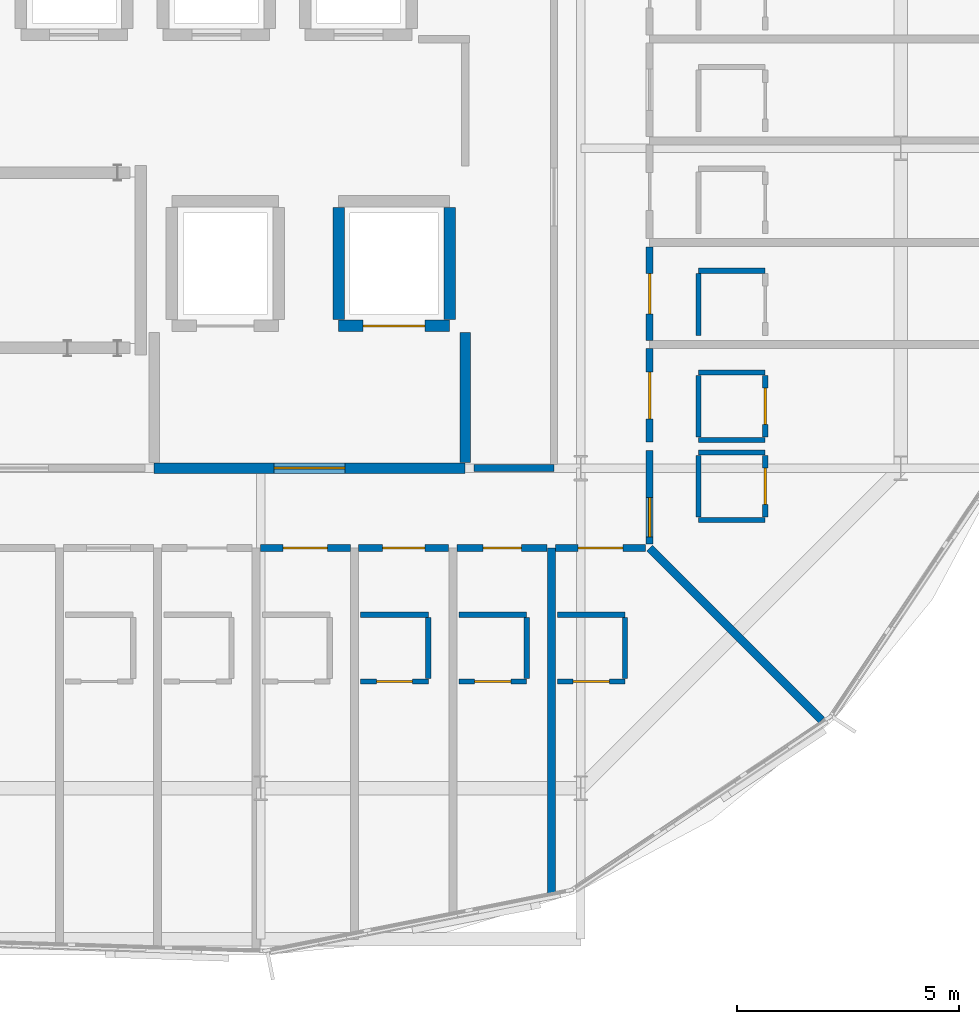
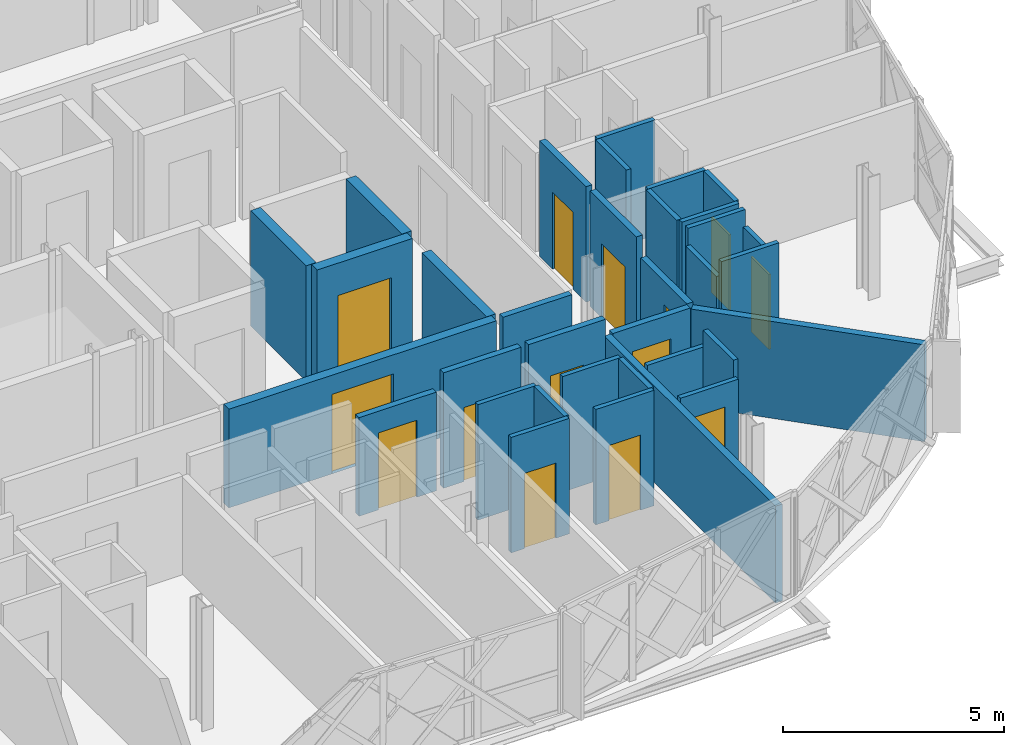
# One storey, part 41 of 50: 34 walls, 14 doors, 14 openings.
"""IFC4 building model written with IfcOpenShell, lengths in metres."""

from ifc_helpers import new_model, si_unit, direction, frame, frame_2d, origin, place, context, subcontext, project, spatial, rectangle, extrude, material, layer, layer_set, type_object, element, fill, save


model = new_model("IFC4")

# Units and contexts
model_context = context("Model", 3, precision=1e-05, world=origin(), true_north=direction((0.0, 1.0)))
body_context = subcontext(model_context, "Body", "Model", "MODEL_VIEW")
ifc_project = project(units=[si_unit("LENGTHUNIT", "METRE"), si_unit("AREAUNIT", "SQUARE_METRE"), si_unit("VOLUMEUNIT", "CUBIC_METRE"), si_unit("PLANEANGLEUNIT", "RADIAN"), si_unit("MASSUNIT", "GRAM", prefix="KILO")], contexts=[model_context])

# Site, building, storey
site_placement = place(None, origin())
site = spatial("IfcSite", under=ifc_project, at=site_placement, CompositionType="ELEMENT")
building_placement = place(site_placement, origin())
building = spatial("IfcBuilding", under=site, at=building_placement, Name="Zevrakil Square Congress Hotel", CompositionType="ELEMENT")
storey_placement = place(building_placement, frame((0.0, 0.0, 21.5)))
storey = spatial("IfcBuildingStorey", under=building, at=storey_placement, Name="L06", CompositionType="ELEMENT", Elevation=21.5)

# Wall, opening, door
ifc_material_1 = material(Name="Concrete C35/45", Category="concrete")
ifc_layer_1 = layer(ifc_material_1, 0.239990234375)
ifc_layer_set_1 = layer_set([ifc_layer_1], Name="Concrete C35/45")
wall_type_1 = type_object("IfcWallType", Name="WAL-COMP-240", PredefinedType="SOLIDWALL", material=ifc_layer_set_1)
wall_1_placement = place(storey_placement, frame((146.39990234375, 16.800048828125, 0.0), z_axis=(0.0, 0.0, 1.0), x_axis=(1.0, 0.0, 0.0)))
wall_1 = element("IfcWall", 1, at=wall_1_placement, inside=storey, type_object=wall_type_1, Name="L06 interior partition PW-L06-0687", PredefinedType="SOLIDWALL", context=body_context, shape_type="SweptSolid", body=[
    extrude(rectangle(XDim=7.0, YDim=0.239990234375, at=frame_2d((3.5, 0.0))), origin(), (0.0, 0.0, 1.0), 2.72998046875),
])
opening_1_placement = place(wall_1_placement, frame((2.699951171875, 0.0, 0.0)))
opening_1 = element("IfcOpeningElement", 2, at=opening_1_placement, cuts=wall_1, Name="Opening FD90-D", PredefinedType="OPENING", context=body_context, shape_type="SweptSolid", body=[
    extrude(rectangle(XDim=1.60009765625, YDim=2.199951171875, at=frame_2d((0.800048828125, 1.10009765625))), frame((0.0, 0.1298828125, 0.0), z_axis=(0.0, -1.0, 0.0), x_axis=(1.0, 0.0, 0.0)), (0.0, 0.0, 1.0), 0.260009765625),
])
ifc_material_2 = material(Name="Steel S355 Double Fire Door", Category="steel")
door_type_1 = type_object("IfcDoorType", Name="DOR-FFLOB-FD90-160", OperationType="NOTDEFINED", PredefinedType="DOOR", material=ifc_material_2)
door_1_placement = place(opening_1_placement, origin())
door_1 = element("IfcDoor", 3, at=door_1_placement, inside=storey, type_object=door_type_1, Name="L06 interior door 274", OperationType="DOUBLE_DOOR_SINGLE_SWING", OverallHeight=2.199951171875, OverallWidth=1.60009765625, PredefinedType="DOOR", context=body_context, shape_type="SweptSolid", body=[
    extrude(rectangle(XDim=1.60009765625, YDim=2.199951171875, at=frame_2d((0.800048828125, 1.10009765625))), frame((0.0, 0.02490234375, 0.0), z_axis=(0.0, -1.0, 0.0), x_axis=(1.0, 0.0, 0.0)), (0.0, 0.0, 1.0), 0.050048828125),
])
fill(opening_1, door_1)

# Walls
wall_2_placement = place(storey_placement, frame((153.39990234375, 16.925048828125, 0.0), z_axis=(0.0, 0.0, 1.0), x_axis=(0.0, 1.0, 0.0)))
element("IfcWall", 4, at=wall_2_placement, inside=storey, type_object=wall_type_1, Name="L06 interior partition PW-L06-0689", PredefinedType="SOLIDWALL", context=body_context, shape_type="SweptSolid", body=[
    extrude(rectangle(XDim=2.925048828125, YDim=0.239990234375, at=frame_2d((1.46240234375, 0.0))), origin(), (0.0, 0.0, 1.0), 2.72998046875),
])
ifc_material_3 = material(Name="Gypsum Acoustic Stud Partition")
ifc_layer_2 = layer(ifc_material_3, 0.159912109375)
ifc_layer_set_2 = layer_set([ifc_layer_2], Name="Gypsum Acoustic Stud Partition")
wall_type_2 = type_object("IfcWallType", Name="WAL-CORR-160", PredefinedType="PARTITIONING", material=ifc_layer_set_2)
wall_3_placement = place(storey_placement, frame((153.60009765625, 16.800048828125, 0.0), z_axis=(0.0, 0.0, 1.0), x_axis=(1.0, 0.0, 0.0)))
element("IfcWall", 5, at=wall_3_placement, inside=storey, type_object=wall_type_2, Name="L06 interior partition PW-L06-0703", PredefinedType="PARTITIONING", context=body_context, shape_type="SweptSolid", body=[
    extrude(rectangle(XDim=1.7998046875, YDim=0.159912109375, at=frame_2d((0.89990234375, 0.0))), origin(), (0.0, 0.0, 1.0), 2.72998046875),
])

# Wall, opening, door
wall_4_placement = place(storey_placement, frame((148.79052734375, 15.0, 0.0), z_axis=(0.0, 0.0, 1.0), x_axis=(1.0, 0.0, 0.0)))
wall_4 = element("IfcWall", 6, at=wall_4_placement, inside=storey, type_object=wall_type_2, Name="L06 interior partition PW-L06-0741", PredefinedType="PARTITIONING", context=body_context, shape_type="SweptSolid", body=[
    extrude(rectangle(XDim=2.023681640625, YDim=0.159912109375, at=frame_2d((1.01171875, 0.0))), origin(), (0.0, 0.0, 1.0), 2.72998046875),
])
opening_2_placement = place(wall_4_placement, frame((0.5078125, 0.0, 0.0)))
opening_2 = element("IfcOpeningElement", 7, at=opening_2_placement, cuts=wall_4, Name="Opening ID-H14", PredefinedType="OPENING", context=body_context, shape_type="SweptSolid", body=[
    extrude(rectangle(XDim=1.008056640625, YDim=2.1298828125, at=frame_2d((0.50390625, 1.06494140625))), frame((0.0, 0.08984375, 0.0), z_axis=(0.0, -1.0, 0.0), x_axis=(1.0, 0.0, 0.0)), (0.0, 0.0, 1.0), 0.179931640625),
])
ifc_material_4 = material(Name="Acoustic Timber Fire Door", Category="wood")
door_type_2 = type_object("IfcDoorType", Name="DOR-INT-H14", OperationType="NOTDEFINED", PredefinedType="DOOR", material=ifc_material_4)
door_2_placement = place(opening_2_placement, origin())
door_2 = element("IfcDoor", 8, at=door_2_placement, inside=storey, type_object=door_type_2, Name="L06 interior door 293", OperationType="SINGLE_SWING_LEFT", OverallHeight=2.1298828125, OverallWidth=1.008056640625, PredefinedType="DOOR", context=body_context, shape_type="SweptSolid", body=[
    extrude(rectangle(XDim=1.008056640625, YDim=2.1298828125, at=frame_2d((0.50390625, 1.06494140625))), frame((0.0, 0.02490234375, 0.0), z_axis=(0.0, -1.0, 0.0), x_axis=(1.0, 0.0, 0.0)), (0.0, 0.0, 1.0), 0.050048828125),
])
fill(opening_2, door_2)

wall_5_placement = place(storey_placement, frame((151.004150390625, 15.0, 0.0), z_axis=(0.0, 0.0, 1.0), x_axis=(1.0, 0.0, 0.0)))
wall_5 = element("IfcWall", 9, at=wall_5_placement, inside=storey, type_object=wall_type_2, Name="L06 interior partition PW-L06-0746", PredefinedType="PARTITIONING", context=body_context, shape_type="SweptSolid", body=[
    extrude(rectangle(XDim=2.0234375, YDim=0.159912109375, at=frame_2d((1.01171875, 0.0))), origin(), (0.0, 0.0, 1.0), 3.195068359375),
])
opening_3_placement = place(wall_5_placement, frame((0.5341796875, 0.0, 0.0)))
opening_3 = element("IfcOpeningElement", 10, at=opening_3_placement, cuts=wall_5, Name="Opening ID-G05", PredefinedType="OPENING", context=body_context, shape_type="SweptSolid", body=[
    extrude(rectangle(XDim=0.955078125, YDim=2.050048828125, at=frame_2d((0.4775390625, 1.02490234375))), frame((0.0, 0.08984375, 0.0), z_axis=(0.0, -1.0, 0.0), x_axis=(1.0, 0.0, 0.0)), (0.0, 0.0, 1.0), 0.179931640625),
])
ifc_material_5 = material(Name="Acoustic Timber Fire Door", Category="wood")
door_type_3 = type_object("IfcDoorType", Name="DOR-INT-G05", OperationType="NOTDEFINED", PredefinedType="DOOR", material=ifc_material_5)
door_3_placement = place(opening_3_placement, origin())
door_3 = element("IfcDoor", 11, at=door_3_placement, inside=storey, type_object=door_type_3, Name="L06 interior door 295", OperationType="SINGLE_SWING_LEFT", OverallHeight=2.050048828125, OverallWidth=0.955078125, PredefinedType="DOOR", context=body_context, shape_type="SweptSolid", body=[
    extrude(rectangle(XDim=0.955078125, YDim=2.050048828125, at=frame_2d((0.4775390625, 1.02490234375))), frame((0.0, 0.02490234375, 0.0), z_axis=(0.0, -1.0, 0.0), x_axis=(1.0, 0.0, 0.0)), (0.0, 0.0, 1.0), 0.050048828125),
])
fill(opening_3, door_3)

wall_6_placement = place(storey_placement, frame((153.2177734375, 15.0, 0.0), z_axis=(0.0, 0.0, 1.0), x_axis=(1.0, 0.0, 0.0)))
wall_6 = element("IfcWall", 12, at=wall_6_placement, inside=storey, type_object=wall_type_2, Name="L06 interior partition PW-L06-0751", PredefinedType="PARTITIONING", context=body_context, shape_type="SweptSolid", body=[
    extrude(rectangle(XDim=2.023681640625, YDim=0.159912109375, at=frame_2d((1.01171875, 0.0))), origin(), (0.0, 0.0, 1.0), 3.195068359375),
])
opening_4_placement = place(wall_6_placement, frame((0.579833984375, 0.0, 0.0)))
opening_4 = element("IfcOpeningElement", 13, at=opening_4_placement, cuts=wall_6, Name="Opening ID-H02", PredefinedType="OPENING", context=body_context, shape_type="SweptSolid", body=[
    extrude(rectangle(XDim=0.864013671875, YDim=2.1298828125, at=frame_2d((0.43212890625, 1.06494140625))), frame((0.0, 0.08984375, 0.0), z_axis=(0.0, -1.0, 0.0), x_axis=(1.0, 0.0, 0.0)), (0.0, 0.0, 1.0), 0.179931640625),
])
ifc_material_6 = material(Name="Acoustic Timber Fire Door", Category="wood")
door_type_4 = type_object("IfcDoorType", Name="DOR-INT-H02", OperationType="NOTDEFINED", PredefinedType="DOOR", material=ifc_material_6)
door_4_placement = place(opening_4_placement, origin())
door_4 = element("IfcDoor", 14, at=door_4_placement, inside=storey, type_object=door_type_4, Name="L06 interior door 297", OperationType="SINGLE_SWING_LEFT", OverallHeight=2.1298828125, OverallWidth=0.864013671875, PredefinedType="DOOR", context=body_context, shape_type="SweptSolid", body=[
    extrude(rectangle(XDim=0.864013671875, YDim=2.1298828125, at=frame_2d((0.43212890625, 1.06494140625))), frame((0.0, 0.02490234375, 0.0), z_axis=(0.0, -1.0, 0.0), x_axis=(1.0, 0.0, 0.0)), (0.0, 0.0, 1.0), 0.050048828125),
])
fill(opening_4, door_4)

wall_7_placement = place(storey_placement, frame((155.431396484375, 15.0, 0.0), z_axis=(0.0, 0.0, 1.0), x_axis=(1.0, 0.0, 0.0)))
wall_7 = element("IfcWall", 15, at=wall_7_placement, inside=storey, type_object=wall_type_2, Name="L06 interior partition PW-L06-0756", PredefinedType="PARTITIONING", context=body_context, shape_type="SweptSolid", body=[
    extrude(rectangle(XDim=2.023681640625, YDim=0.159912109375, at=frame_2d((1.01171875, 0.0))), origin(), (0.0, 0.0, 1.0), 2.72998046875),
])
opening_5_placement = place(wall_7_placement, frame((0.50927734375, 0.0, 0.0)))
opening_5 = element("IfcOpeningElement", 16, at=opening_5_placement, cuts=wall_7, Name="Opening ID-G07", PredefinedType="OPENING", context=body_context, shape_type="SweptSolid", body=[
    extrude(rectangle(XDim=1.0048828125, YDim=2.050048828125, at=frame_2d((0.50244140625, 1.02490234375))), frame((0.0, 0.08984375, 0.0), z_axis=(0.0, -1.0, 0.0), x_axis=(1.0, 0.0, 0.0)), (0.0, 0.0, 1.0), 0.179931640625),
])
ifc_material_7 = material(Name="Acoustic Timber Fire Door", Category="wood")
door_type_5 = type_object("IfcDoorType", Name="DOR-INT-G07", OperationType="NOTDEFINED", PredefinedType="DOOR", material=ifc_material_7)
door_5_placement = place(opening_5_placement, origin())
door_5 = element("IfcDoor", 17, at=door_5_placement, inside=storey, type_object=door_type_5, Name="L06 interior door 299", OperationType="SINGLE_SWING_LEFT", OverallHeight=2.050048828125, OverallWidth=1.0048828125, PredefinedType="DOOR", context=body_context, shape_type="SweptSolid", body=[
    extrude(rectangle(XDim=1.0048828125, YDim=2.050048828125, at=frame_2d((0.50244140625, 1.02490234375))), frame((0.0, 0.02490234375, 0.0), z_axis=(0.0, -1.0, 0.0), x_axis=(1.0, 0.0, 0.0)), (0.0, 0.0, 1.0), 0.050048828125),
])
fill(opening_5, door_5)

wall_8_placement = place(storey_placement, frame((157.550048828125, 15.094970703125, 0.0), z_axis=(0.0, 0.0, 1.0), x_axis=(0.0, 1.0, 0.0)))
wall_8 = element("IfcWall", 18, at=wall_8_placement, inside=storey, type_object=wall_type_2, Name="L06 interior partition PW-L06-0761", PredefinedType="PARTITIONING", context=body_context, shape_type="SweptSolid", body=[
    extrude(rectangle(XDim=2.100830078125, YDim=0.159912109375, at=frame_2d((1.05029296875, 0.0))), origin(), (0.0, 0.0, 1.0), 2.72998046875),
])
opening_6_placement = place(wall_8_placement, frame((0.159912109375, 0.0, 0.0)))
opening_6 = element("IfcOpeningElement", 19, at=opening_6_placement, cuts=wall_8, Name="Opening ID-H04", PredefinedType="OPENING", context=body_context, shape_type="SweptSolid", body=[
    extrude(rectangle(XDim=0.887939453125, YDim=2.070068359375, at=frame_2d((0.44384765625, 1.03515625))), frame((0.0, 0.08984375, 0.0), z_axis=(0.0, -1.0, 0.0), x_axis=(1.0, 0.0, 0.0)), (0.0, 0.0, 1.0), 0.179931640625),
])
ifc_material_8 = material(Name="Acoustic Timber Fire Door", Category="wood")
door_type_6 = type_object("IfcDoorType", Name="DOR-INT-H04", OperationType="NOTDEFINED", PredefinedType="DOOR", material=ifc_material_8)
door_6_placement = place(opening_6_placement, origin())
door_6 = element("IfcDoor", 20, at=door_6_placement, inside=storey, type_object=door_type_6, Name="L06 interior door 301", OperationType="SINGLE_SWING_LEFT", OverallHeight=2.070068359375, OverallWidth=0.887939453125, PredefinedType="DOOR", context=body_context, shape_type="SweptSolid", body=[
    extrude(rectangle(XDim=0.887939453125, YDim=2.070068359375, at=frame_2d((0.44384765625, 1.03515625))), frame((0.0, 0.02490234375, 0.0), z_axis=(0.0, -1.0, 0.0), x_axis=(1.0, 0.0, 0.0)), (0.0, 0.0, 1.0), 0.050048828125),
])
fill(opening_6, door_6)

wall_9_placement = place(storey_placement, frame((157.550048828125, 17.385986328125, 0.0), z_axis=(0.0, 0.0, 1.0), x_axis=(0.0, 1.0, 0.0)))
wall_9 = element("IfcWall", 21, at=wall_9_placement, inside=storey, type_object=wall_type_2, Name="L06 interior partition PW-L06-0766", PredefinedType="PARTITIONING", context=body_context, shape_type="SweptSolid", body=[
    extrude(rectangle(XDim=2.100830078125, YDim=0.159912109375, at=frame_2d((1.05029296875, 0.0))), origin(), (0.0, 0.0, 1.0), 3.195068359375),
])
opening_7_placement = place(wall_9_placement, frame((0.52294921875, 0.0, 0.0)))
opening_7 = element("IfcOpeningElement", 22, at=opening_7_placement, cuts=wall_9, Name="Opening ID-G09", PredefinedType="OPENING", context=body_context, shape_type="SweptSolid", body=[
    extrude(rectangle(XDim=1.054931640625, YDim=2.050048828125, at=frame_2d((0.52734375, 1.02490234375))), frame((0.0, 0.08984375, 0.0), z_axis=(0.0, -1.0, 0.0), x_axis=(1.0, 0.0, 0.0)), (0.0, 0.0, 1.0), 0.179931640625),
])
ifc_material_9 = material(Name="Acoustic Timber Fire Door", Category="wood")
door_type_7 = type_object("IfcDoorType", Name="DOR-INT-G09", OperationType="NOTDEFINED", PredefinedType="DOOR", material=ifc_material_9)
door_7_placement = place(opening_7_placement, origin())
door_7 = element("IfcDoor", 23, at=door_7_placement, inside=storey, type_object=door_type_7, Name="L06 interior door 303", OperationType="SINGLE_SWING_LEFT", OverallHeight=2.050048828125, OverallWidth=1.054931640625, PredefinedType="DOOR", context=body_context, shape_type="SweptSolid", body=[
    extrude(rectangle(XDim=1.054931640625, YDim=2.050048828125, at=frame_2d((0.52734375, 1.02490234375))), frame((0.0, 0.02490234375, 0.0), z_axis=(0.0, -1.0, 0.0), x_axis=(1.0, 0.0, 0.0)), (0.0, 0.0, 1.0), 0.050048828125),
])
fill(opening_7, door_7)

wall_10_placement = place(storey_placement, frame((157.550048828125, 19.6767578125, 0.0), z_axis=(0.0, 0.0, 1.0), x_axis=(0.0, 1.0, 0.0)))
wall_10 = element("IfcWall", 24, at=wall_10_placement, inside=storey, type_object=wall_type_2, Name="L06 interior partition PW-L06-0772", PredefinedType="PARTITIONING", context=body_context, shape_type="SweptSolid", body=[
    extrude(rectangle(XDim=2.100830078125, YDim=0.159912109375, at=frame_2d((1.05029296875, 0.0))), origin(), (0.0, 0.0, 1.0), 3.195068359375),
])
opening_8_placement = place(wall_10_placement, frame((0.594482421875, 0.0, 0.0)))
opening_8 = element("IfcOpeningElement", 25, at=opening_8_placement, cuts=wall_10, Name="Opening ID-H06", PredefinedType="OPENING", context=body_context, shape_type="SweptSolid", body=[
    extrude(rectangle(XDim=0.912109375, YDim=2.1298828125, at=frame_2d((0.4560546875, 1.06494140625))), frame((0.0, 0.08984375, 0.0), z_axis=(0.0, -1.0, 0.0), x_axis=(1.0, 0.0, 0.0)), (0.0, 0.0, 1.0), 0.179931640625),
])
ifc_material_10 = material(Name="Acoustic Timber Fire Door", Category="wood")
door_type_8 = type_object("IfcDoorType", Name="DOR-INT-H06", OperationType="NOTDEFINED", PredefinedType="DOOR", material=ifc_material_10)
door_8_placement = place(opening_8_placement, origin())
door_8 = element("IfcDoor", 26, at=door_8_placement, inside=storey, type_object=door_type_8, Name="L06 interior door 305", OperationType="SINGLE_SWING_LEFT", OverallHeight=2.1298828125, OverallWidth=0.912109375, PredefinedType="DOOR", context=body_context, shape_type="SweptSolid", body=[
    extrude(rectangle(XDim=0.912109375, YDim=2.1298828125, at=frame_2d((0.4560546875, 1.06494140625))), frame((0.0, 0.02490234375, 0.0), z_axis=(0.0, -1.0, 0.0), x_axis=(1.0, 0.0, 0.0)), (0.0, 0.0, 1.0), 0.050048828125),
])
fill(opening_8, door_8)

ifc_material_11 = material(Name="Moisture-Resistant Gypsum Partition")
ifc_layer_3 = layer(ifc_material_11, 0.1201171875)
ifc_layer_set_3 = layer_set([ifc_layer_3], Name="Moisture-Resistant Gypsum Partition")
wall_type_3 = type_object("IfcWallType", Name="WAL-ENS-120", PredefinedType="PARTITIONING", material=ifc_layer_set_3)
wall_11_placement = place(storey_placement, frame((151.049072265625, 12.0, 0.0), z_axis=(0.0, 0.0, 1.0), x_axis=(1.0, 0.0, 0.0)))
wall_11 = element("IfcWall", 27, at=wall_11_placement, inside=storey, type_object=wall_type_3, Name="L06 interior partition PW-L06-0747", PredefinedType="PARTITIONING", context=body_context, shape_type="SweptSolid", body=[
    extrude(rectangle(XDim=1.52001953125, YDim=0.1201171875, at=frame_2d((0.760009765625, 0.0))), origin(), (0.0, 0.0, 1.0), 3.195068359375),
])
opening_9_placement = place(wall_11_placement, frame((0.35009765625, 0.0, 0.0)))
opening_9 = element("IfcOpeningElement", 28, at=opening_9_placement, cuts=wall_11, Name="Opening ID-11", PredefinedType="OPENING", context=body_context, shape_type="SweptSolid", body=[
    extrude(rectangle(XDim=0.820068359375, YDim=2.080078125, at=frame_2d((0.41015625, 1.0400390625))), frame((0.0, 0.070068359375, 0.0), z_axis=(0.0, -1.0, 0.0), x_axis=(1.0, 0.0, 0.0)), (0.0, 0.0, 1.0), 0.14013671875),
])
ifc_material_12 = material(Name="Acoustic Timber Door", Category="wood")
door_type_9 = type_object("IfcDoorType", Name="DOR-INT-V01", OperationType="NOTDEFINED", PredefinedType="DOOR", material=ifc_material_12)
door_9_placement = place(opening_9_placement, origin())
door_9 = element("IfcDoor", 29, at=door_9_placement, inside=storey, type_object=door_type_9, Name="L06 interior door 296", OperationType="SINGLE_SWING_RIGHT", OverallHeight=2.080078125, OverallWidth=0.820068359375, PredefinedType="DOOR", context=body_context, shape_type="SweptSolid", body=[
    extrude(rectangle(XDim=0.820068359375, YDim=2.080078125, at=frame_2d((0.41015625, 1.0400390625))), frame((0.0, 0.02490234375, 0.0), z_axis=(0.0, -1.0, 0.0), x_axis=(1.0, 0.0, 0.0)), (0.0, 0.0, 1.0), 0.050048828125),
])
fill(opening_9, door_9)

# Walls
wall_12_placement = place(storey_placement, frame((151.049072265625, 13.5, 0.0), z_axis=(0.0, 0.0, 1.0), x_axis=(1.0, 0.0, 0.0)))
element("IfcWall", 30, at=wall_12_placement, inside=storey, type_object=wall_type_3, Name="L06 interior partition PW-L06-0748", PredefinedType="PARTITIONING", context=body_context, shape_type="SweptSolid", body=[
    extrude(rectangle(XDim=1.52001953125, YDim=0.1201171875, at=frame_2d((0.760009765625, 0.0))), origin(), (0.0, 0.0, 1.0), 3.195068359375),
])
wall_13_placement = place(storey_placement, frame((152.569091796875, 12.06494140625, 0.0), z_axis=(0.0, 0.0, 1.0), x_axis=(0.0, 1.0, 0.0)))
element("IfcWall", 31, at=wall_13_placement, inside=storey, type_object=wall_type_3, Name="L06 interior partition PW-L06-0749", PredefinedType="PARTITIONING", context=body_context, shape_type="SweptSolid", body=[
    extrude(rectangle(XDim=1.3701171875, YDim=0.1201171875, at=frame_2d((0.68505859375, 0.0))), origin(), (0.0, 0.0, 1.0), 3.195068359375),
])

# Wall, opening, door
wall_14_placement = place(storey_placement, frame((153.2626953125, 12.0, 0.0), z_axis=(0.0, 0.0, 1.0), x_axis=(1.0, 0.0, 0.0)))
wall_14 = element("IfcWall", 32, at=wall_14_placement, inside=storey, type_object=wall_type_3, Name="L06 interior partition PW-L06-0752", PredefinedType="PARTITIONING", context=body_context, shape_type="SweptSolid", body=[
    extrude(rectangle(XDim=1.52001953125, YDim=0.1201171875, at=frame_2d((0.760009765625, 0.0))), origin(), (0.0, 0.0, 1.0), 3.195068359375),
])
opening_10_placement = place(wall_14_placement, frame((0.35009765625, 0.0, 0.0)))
opening_10 = element("IfcOpeningElement", 33, at=opening_10_placement, cuts=wall_14, Name="Opening ID-11", PredefinedType="OPENING", context=body_context, shape_type="SweptSolid", body=[
    extrude(rectangle(XDim=0.820068359375, YDim=2.080078125, at=frame_2d((0.41015625, 1.0400390625))), frame((0.0, 0.070068359375, 0.0), z_axis=(0.0, -1.0, 0.0), x_axis=(1.0, 0.0, 0.0)), (0.0, 0.0, 1.0), 0.14013671875),
])
door_10_placement = place(opening_10_placement, origin())
door_10 = element("IfcDoor", 34, at=door_10_placement, inside=storey, type_object=door_type_9, Name="L06 interior door 298", OperationType="SINGLE_SWING_RIGHT", OverallHeight=2.080078125, OverallWidth=0.820068359375, PredefinedType="DOOR", context=body_context, shape_type="SweptSolid", body=[
    extrude(rectangle(XDim=0.820068359375, YDim=2.080078125, at=frame_2d((0.41015625, 1.0400390625))), frame((0.0, 0.02490234375, 0.0), z_axis=(0.0, -1.0, 0.0), x_axis=(1.0, 0.0, 0.0)), (0.0, 0.0, 1.0), 0.050048828125),
])
fill(opening_10, door_10)

# Walls
wall_15_placement = place(storey_placement, frame((153.2626953125, 13.5, 0.0), z_axis=(0.0, 0.0, 1.0), x_axis=(1.0, 0.0, 0.0)))
element("IfcWall", 35, at=wall_15_placement, inside=storey, type_object=wall_type_3, Name="L06 interior partition PW-L06-0753", PredefinedType="PARTITIONING", context=body_context, shape_type="SweptSolid", body=[
    extrude(rectangle(XDim=1.52001953125, YDim=0.1201171875, at=frame_2d((0.760009765625, 0.0))), origin(), (0.0, 0.0, 1.0), 3.195068359375),
])
wall_16_placement = place(storey_placement, frame((154.78271484375, 12.06494140625, 0.0), z_axis=(0.0, 0.0, 1.0), x_axis=(0.0, 1.0, 0.0)))
element("IfcWall", 36, at=wall_16_placement, inside=storey, type_object=wall_type_3, Name="L06 interior partition PW-L06-0754", PredefinedType="PARTITIONING", context=body_context, shape_type="SweptSolid", body=[
    extrude(rectangle(XDim=1.3701171875, YDim=0.1201171875, at=frame_2d((0.68505859375, 0.0))), origin(), (0.0, 0.0, 1.0), 3.195068359375),
])

# Wall, opening, door
wall_17_placement = place(storey_placement, frame((155.476318359375, 12.0, 0.0), z_axis=(0.0, 0.0, 1.0), x_axis=(1.0, 0.0, 0.0)))
wall_17 = element("IfcWall", 37, at=wall_17_placement, inside=storey, type_object=wall_type_3, Name="L06 interior partition PW-L06-0757", PredefinedType="PARTITIONING", context=body_context, shape_type="SweptSolid", body=[
    extrude(rectangle(XDim=1.52001953125, YDim=0.1201171875, at=frame_2d((0.760009765625, 0.0))), origin(), (0.0, 0.0, 1.0), 2.72998046875),
])
opening_11_placement = place(wall_17_placement, frame((0.35009765625, 0.0, 0.0)))
opening_11 = element("IfcOpeningElement", 38, at=opening_11_placement, cuts=wall_17, Name="Opening ID-11", PredefinedType="OPENING", context=body_context, shape_type="SweptSolid", body=[
    extrude(rectangle(XDim=0.820068359375, YDim=2.080078125, at=frame_2d((0.41015625, 1.0400390625))), frame((0.0, 0.070068359375, 0.0), z_axis=(0.0, -1.0, 0.0), x_axis=(1.0, 0.0, 0.0)), (0.0, 0.0, 1.0), 0.14013671875),
])
door_11_placement = place(opening_11_placement, origin())
door_11 = element("IfcDoor", 39, at=door_11_placement, inside=storey, type_object=door_type_9, Name="L06 interior door 300", OperationType="SINGLE_SWING_RIGHT", OverallHeight=2.080078125, OverallWidth=0.820068359375, PredefinedType="DOOR", context=body_context, shape_type="SweptSolid", body=[
    extrude(rectangle(XDim=0.820068359375, YDim=2.080078125, at=frame_2d((0.41015625, 1.0400390625))), frame((0.0, 0.02490234375, 0.0), z_axis=(0.0, -1.0, 0.0), x_axis=(1.0, 0.0, 0.0)), (0.0, 0.0, 1.0), 0.050048828125),
])
fill(opening_11, door_11)

# Walls
wall_18_placement = place(storey_placement, frame((155.476318359375, 13.5, 0.0), z_axis=(0.0, 0.0, 1.0), x_axis=(1.0, 0.0, 0.0)))
element("IfcWall", 40, at=wall_18_placement, inside=storey, type_object=wall_type_3, Name="L06 interior partition PW-L06-0758", PredefinedType="PARTITIONING", context=body_context, shape_type="SweptSolid", body=[
    extrude(rectangle(XDim=1.52001953125, YDim=0.1201171875, at=frame_2d((0.760009765625, 0.0))), origin(), (0.0, 0.0, 1.0), 2.72998046875),
])
wall_19_placement = place(storey_placement, frame((156.996337890625, 12.06494140625, 0.0), z_axis=(0.0, 0.0, 1.0), x_axis=(0.0, 1.0, 0.0)))
element("IfcWall", 41, at=wall_19_placement, inside=storey, type_object=wall_type_3, Name="L06 interior partition PW-L06-0759", PredefinedType="PARTITIONING", context=body_context, shape_type="SweptSolid", body=[
    extrude(rectangle(XDim=1.3701171875, YDim=0.1201171875, at=frame_2d((0.68505859375, 0.0))), origin(), (0.0, 0.0, 1.0), 3.195068359375),
])
for number, where, z_axis, x_axis, name in (
    (42, (158.64990234375, 15.630859375, 0.0), (0.0, 0.0, 1.0), (1.0, 0.0, 0.0), "L06 interior partition PW-L06-0762"),
    (43, (158.64990234375, 17.15087890625, 0.0), (0.0, 0.0, 1.0), (1.0, 0.0, 0.0), "L06 interior partition PW-L06-0763"),
):
    element("IfcWall", number, at=place(storey_placement, frame(where, z_axis=z_axis, x_axis=x_axis)), inside=storey, type_object=wall_type_3, Name=name, PredefinedType="PARTITIONING", context=body_context, shape_type="SweptSolid", body=[
        extrude(rectangle(XDim=1.5, YDim=0.1201171875, at=frame_2d((0.75, 0.0))), origin(), (0.0, 0.0, 1.0), 3.195068359375),
    ])
wall_20_placement = place(storey_placement, frame((158.64990234375, 15.69580078125, 0.0), z_axis=(0.0, 0.0, 1.0), x_axis=(0.0, 1.0, 0.0)))
element("IfcWall", 44, at=wall_20_placement, inside=storey, type_object=wall_type_3, Name="L06 interior partition PW-L06-0764", PredefinedType="PARTITIONING", context=body_context, shape_type="SweptSolid", body=[
    extrude(rectangle(XDim=1.39013671875, YDim=0.1201171875, at=frame_2d((0.695068359375, 0.0))), origin(), (0.0, 0.0, 1.0), 2.72998046875),
])

# Wall, opening, door
wall_21_placement = place(storey_placement, frame((160.14990234375, 15.69580078125, 0.0), z_axis=(0.0, 0.0, 1.0), x_axis=(0.0, 1.0, 0.0)))
wall_21 = element("IfcWall", 45, at=wall_21_placement, inside=storey, type_object=wall_type_3, Name="L06 interior partition PW-L06-0765", PredefinedType="PARTITIONING", context=body_context, shape_type="SweptSolid", body=[
    extrude(rectangle(XDim=1.39013671875, YDim=0.1201171875, at=frame_2d((0.695068359375, 0.0))), origin(), (0.0, 0.0, 1.0), 2.72998046875),
])
opening_12_placement = place(wall_21_placement, frame((0.284912109375, 0.0, 0.0)))
opening_12 = element("IfcOpeningElement", 46, at=opening_12_placement, cuts=wall_21, Name="Opening ID-11", PredefinedType="OPENING", context=body_context, shape_type="SweptSolid", body=[
    extrude(rectangle(XDim=0.820068359375, YDim=2.080078125, at=frame_2d((0.41015625, 1.0400390625))), frame((0.0, 0.070068359375, 0.0), z_axis=(0.0, -1.0, 0.0), x_axis=(1.0, 0.0, 0.0)), (0.0, 0.0, 1.0), 0.14013671875),
])
door_12_placement = place(opening_12_placement, origin())
door_12 = element("IfcDoor", 47, at=door_12_placement, inside=storey, type_object=door_type_9, Name="L06 interior door 302", OperationType="SINGLE_SWING_RIGHT", OverallHeight=2.080078125, OverallWidth=0.820068359375, PredefinedType="DOOR", context=body_context, shape_type="SweptSolid", body=[
    extrude(rectangle(XDim=0.820068359375, YDim=2.080078125, at=frame_2d((0.41015625, 1.0400390625))), frame((0.0, 0.02490234375, 0.0), z_axis=(0.0, -1.0, 0.0), x_axis=(1.0, 0.0, 0.0)), (0.0, 0.0, 1.0), 0.050048828125),
])
fill(opening_12, door_12)

# Walls
for number, where, z_axis, x_axis, name in (
    (48, (158.64990234375, 17.430908203125, 0.0), (0.0, 0.0, 1.0), (1.0, 0.0, 0.0), "L06 interior partition PW-L06-0767"),
    (49, (158.64990234375, 18.950927734375, 0.0), (0.0, 0.0, 1.0), (1.0, 0.0, 0.0), "L06 interior partition PW-L06-0768"),
):
    element("IfcWall", number, at=place(storey_placement, frame(where, z_axis=z_axis, x_axis=x_axis)), inside=storey, type_object=wall_type_3, Name=name, PredefinedType="PARTITIONING", context=body_context, shape_type="SweptSolid", body=[
        extrude(rectangle(XDim=1.5, YDim=0.1201171875, at=frame_2d((0.75, 0.0))), origin(), (0.0, 0.0, 1.0), 3.195068359375),
    ])
wall_22_placement = place(storey_placement, frame((158.64990234375, 17.495849609375, 0.0), z_axis=(0.0, 0.0, 1.0), x_axis=(0.0, 1.0, 0.0)))
element("IfcWall", 50, at=wall_22_placement, inside=storey, type_object=wall_type_3, Name="L06 interior partition PW-L06-0769", PredefinedType="PARTITIONING", context=body_context, shape_type="SweptSolid", body=[
    extrude(rectangle(XDim=1.39013671875, YDim=0.1201171875, at=frame_2d((0.695068359375, 0.0))), origin(), (0.0, 0.0, 1.0), 3.195068359375),
])

# Wall, opening, door
wall_23_placement = place(storey_placement, frame((160.14990234375, 17.495849609375, 0.0), z_axis=(0.0, 0.0, 1.0), x_axis=(0.0, 1.0, 0.0)))
wall_23 = element("IfcWall", 51, at=wall_23_placement, inside=storey, type_object=wall_type_3, Name="L06 interior partition PW-L06-0770", PredefinedType="PARTITIONING", context=body_context, shape_type="SweptSolid", body=[
    extrude(rectangle(XDim=1.39013671875, YDim=0.1201171875, at=frame_2d((0.695068359375, 0.0))), origin(), (0.0, 0.0, 1.0), 3.195068359375),
])
opening_13_placement = place(wall_23_placement, frame((0.284912109375, 0.0, 0.0)))
opening_13 = element("IfcOpeningElement", 52, at=opening_13_placement, cuts=wall_23, Name="Opening ID-11", PredefinedType="OPENING", context=body_context, shape_type="SweptSolid", body=[
    extrude(rectangle(XDim=0.820068359375, YDim=2.080078125, at=frame_2d((0.41015625, 1.0400390625))), frame((0.0, 0.070068359375, 0.0), z_axis=(0.0, -1.0, 0.0), x_axis=(1.0, 0.0, 0.0)), (0.0, 0.0, 1.0), 0.14013671875),
])
door_13_placement = place(opening_13_placement, origin())
door_13 = element("IfcDoor", 53, at=door_13_placement, inside=storey, type_object=door_type_9, Name="L06 interior door 304", OperationType="SINGLE_SWING_RIGHT", OverallHeight=2.080078125, OverallWidth=0.820068359375, PredefinedType="DOOR", context=body_context, shape_type="SweptSolid", body=[
    extrude(rectangle(XDim=0.820068359375, YDim=2.080078125, at=frame_2d((0.41015625, 1.0400390625))), frame((0.0, 0.02490234375, 0.0), z_axis=(0.0, -1.0, 0.0), x_axis=(1.0, 0.0, 0.0)), (0.0, 0.0, 1.0), 0.050048828125),
])
fill(opening_13, door_13)

# Walls
wall_24_placement = place(storey_placement, frame((158.64990234375, 21.24169921875, 0.0), z_axis=(0.0, 0.0, 1.0), x_axis=(1.0, 0.0, 0.0)))
element("IfcWall", 54, at=wall_24_placement, inside=storey, type_object=wall_type_3, Name="L06 interior partition PW-L06-0773", PredefinedType="PARTITIONING", context=body_context, shape_type="SweptSolid", body=[
    extrude(rectangle(XDim=1.5, YDim=0.1201171875, at=frame_2d((0.75, 0.0))), origin(), (0.0, 0.0, 1.0), 3.195068359375),
])
wall_25_placement = place(storey_placement, frame((158.64990234375, 19.786865234375, 0.0), z_axis=(0.0, 0.0, 1.0), x_axis=(0.0, 1.0, 0.0)))
element("IfcWall", 55, at=wall_25_placement, inside=storey, type_object=wall_type_3, Name="L06 interior partition PW-L06-0774", PredefinedType="PARTITIONING", context=body_context, shape_type="SweptSolid", body=[
    extrude(rectangle(XDim=1.389892578125, YDim=0.1201171875, at=frame_2d((0.69482421875, 0.0))), origin(), (0.0, 0.0, 1.0), 3.195068359375),
])
ifc_material_13 = material(Name="Gypsum Twin-Stud Party Partition")
ifc_layer_4 = layer(ifc_material_13, 0.179931640625)
ifc_layer_set_4 = layer_set([ifc_layer_4], Name="Gypsum Twin-Stud Party Partition")
wall_type_4 = type_object("IfcWallType", Name="WAL-PARTY-180", PredefinedType="PARTITIONING", material=ifc_layer_set_4)
wall_26_placement = place(storey_placement, frame((155.33642578125, 7.23193359375, 0.0), z_axis=(0.0, 0.0, 1.0), x_axis=(0.0, 1.0, 0.0)))
element("IfcWall", 56, at=wall_26_placement, inside=storey, type_object=wall_type_4, Name="L06 interior partition PW-L06-0755", PredefinedType="PARTITIONING", context=body_context, shape_type="SweptSolid", body=[
    extrude(rectangle(XDim=7.76806640625, YDim=0.179931640625, at=frame_2d((3.884033203125, 0.0))), origin(), (0.0, 0.0, 1.0), 2.679931640625),
])
wall_27_placement = place(storey_placement, frame((157.550048828125, 15.0, 0.0), z_axis=(0.0, 0.0, 1.0), x_axis=(0.707106781187, -0.707106781187, 0.0)))
element("IfcWall", 57, at=wall_27_placement, inside=storey, type_object=wall_type_4, Name="L06 interior partition PW-L06-0760", PredefinedType="PARTITIONING", context=body_context, shape_type="SweptSolid", body=[
    extrude(rectangle(XDim=5.474609375, YDim=0.179931640625, at=frame_2d((2.7373046875, 0.0))), origin(), (0.0, 0.0, 1.0), 2.679931640625),
])

# Wall, opening, door
ifc_material_14 = material(Name="Concrete C40/50", Category="concrete")
ifc_layer_5 = layer(ifc_material_14, 0.260009765625)
ifc_layer_set_5 = layer_set([ifc_layer_5], Name="Concrete C40/50")
wall_type_5 = type_object("IfcWallType", Name="WAL-SHAFT-260", PredefinedType="SHEAR", material=ifc_layer_set_5)
wall_28_placement = place(storey_placement, frame((150.550048828125, 20.0, 0.0), z_axis=(0.0, 0.0, 1.0), x_axis=(1.0, 0.0, 0.0)))
wall_28 = element("IfcWall", 58, at=wall_28_placement, inside=storey, type_object=wall_type_5, Name="L06 SL1 lift shaft wall", PredefinedType="SHEAR", context=body_context, shape_type="SweptSolid", body=[
    extrude(rectangle(XDim=2.5, YDim=0.260009765625, at=frame_2d((1.25, 0.0))), origin(), (0.0, 0.0, 1.0), 3.195068359375),
])
opening_14_placement = place(wall_28_placement, frame((0.550048828125, 0.0, 0.0)))
opening_14 = element("IfcOpeningElement", 59, at=opening_14_placement, cuts=wall_28, Name="Opening LD-SL1", PredefinedType="OPENING", context=body_context, shape_type="SweptSolid", body=[
    extrude(rectangle(XDim=1.39990234375, YDim=2.300048828125, at=frame_2d((0.699951171875, 1.14990234375))), frame((0.0, 0.14013671875, 0.0), z_axis=(0.0, -1.0, 0.0), x_axis=(1.0, 0.0, 0.0)), (0.0, 0.0, 1.0), 0.280029296875),
])
ifc_material_15 = material(Name="Goods Service Sliding Landing Door")
door_type_10 = type_object("IfcDoorType", Name="DOR-LIFT-LD140", OperationType="NOTDEFINED", PredefinedType="DOOR", material=ifc_material_15)
door_14_placement = place(opening_14_placement, origin())
door_14 = element("IfcDoor", 60, at=door_14_placement, inside=storey, type_object=door_type_10, Name="L06 SL1 sliding lift landing door", OperationType="SLIDING_TO_LEFT", OverallHeight=2.300048828125, OverallWidth=1.39990234375, PredefinedType="DOOR", context=body_context, shape_type="SweptSolid", body=[
    extrude(rectangle(XDim=1.39990234375, YDim=2.300048828125, at=frame_2d((0.699951171875, 1.14990234375))), frame((0.0, 0.02490234375, 0.0), z_axis=(0.0, -1.0, 0.0), x_axis=(1.0, 0.0, 0.0)), (0.0, 0.0, 1.0), 0.050048828125),
])
fill(opening_14, door_14)

# Walls
for number, where, z_axis, x_axis, name in (
    (61, (150.550048828125, 20.139892578125, 0.0), (0.0, 0.0, 1.0), (0.0, 1.0, 0.0), "L06 SL1 lift shaft wall"),
    (62, (153.050048828125, 20.139892578125, 0.0), (0.0, 0.0, 1.0), (0.0, 1.0, 0.0), "L06 SL1 lift shaft wall"),
):
    element("IfcWall", number, at=place(storey_placement, frame(where, z_axis=z_axis, x_axis=x_axis)), inside=storey, type_object=wall_type_5, Name=name, PredefinedType="SHEAR", context=body_context, shape_type="SweptSolid", body=[
        extrude(rectangle(XDim=2.52001953125, YDim=0.260009765625, at=frame_2d((1.260009765625, 0.0))), origin(), (0.0, 0.0, 1.0), 3.195068359375),
    ])

save(model, "model.ifc")
